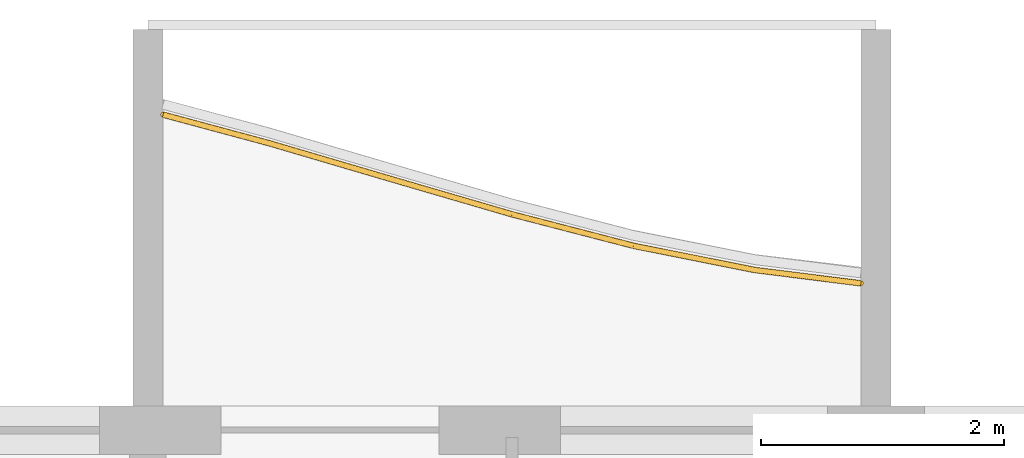
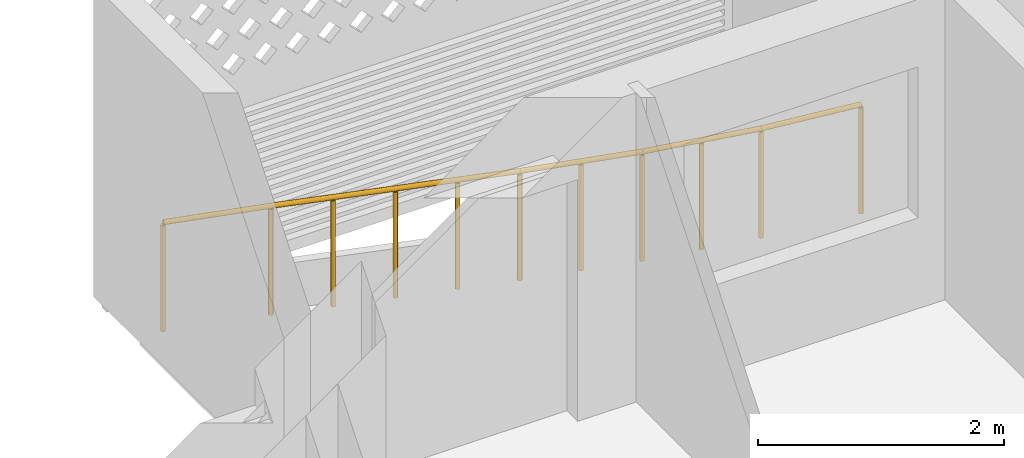
# One storey, part 20 of 31: 1 railing.
"""IFC4 building model written with IfcOpenShell, lengths in metres."""

from ifc_helpers import new_model, si_unit, direction, frame, origin, origin_2d, place, context, subcontext, project, spatial, circle, extrude, material, type_object, element, save


model = new_model("IFC4")

# Units and contexts
model_context = context("Model", 3, precision=1e-05, world=origin(), true_north=direction((0.0, 1.0)))
body_context = subcontext(model_context, "Body", "Model", "MODEL_VIEW")
ifc_project = project(units=[si_unit("LENGTHUNIT", "METRE"), si_unit("AREAUNIT", "SQUARE_METRE"), si_unit("VOLUMEUNIT", "CUBIC_METRE"), si_unit("PLANEANGLEUNIT", "RADIAN"), si_unit("MASSUNIT", "GRAM", prefix="KILO")], contexts=[model_context])

# Site, building, storey
site_placement = place(None, origin())
site = spatial("IfcSite", under=ifc_project, at=site_placement, CompositionType="ELEMENT")
building_placement = place(site_placement, origin())
building = spatial("IfcBuilding", under=site, at=building_placement, Name="Poui Terraces", CompositionType="ELEMENT")
storey_placement = place(building_placement, frame((0.0, 0.0, 148.800048828125)))
storey = spatial("IfcBuildingStorey", under=building, at=storey_placement, Name="L41", CompositionType="ELEMENT", Elevation=148.800048828125)

# Railing
ifc_material = material(Name="Painted steel fretwork", Category="steel")
railing_type = type_object("IfcRailingType", Name="BALCONY GUARD 1100", PredefinedType="GUARDRAIL", material=ifc_material)
railing_placement = place(storey_placement, frame((36.125, 44.999755859375, 0.0)))
element("IfcRailing", 1, at=railing_placement, inside=storey, type_object=railing_type, Name="BALCONY GUARD", PredefinedType="GUARDRAIL", context=body_context, shape_type="SweptSolid", body=[
    extrude(circle(Radius=0.02392578125, at=origin_2d()), frame((0.0, 0.0, 1.076171875), z_axis=(0.965678166761, -0.259741560479, 0.0), x_axis=(0.259741560479, 0.965678166761, 0.0)), (0.0, 0.0, 1.0), 0.906005859375),
    extrude(circle(Radius=0.02392578125, at=origin_2d()), frame((0.875, -0.2353515625, 1.076171875), z_axis=(0.959346851742, -0.282229725671, 0.0), x_axis=(0.282229725671, 0.959346851742, 0.0)), (0.0, 0.0, 1.0), 1.04248046875),
    extrude(circle(Radius=0.02392578125, at=origin_2d()), frame((1.875, -0.529541015625, 1.076171875), z_axis=(0.960041991036, -0.279855990551, 0.0), x_axis=(0.279855990551, 0.960041991036, 0.0)), (0.0, 0.0, 1.0), 1.04150390625),
    extrude(circle(Radius=0.02392578125, at=origin_2d()), frame((2.875, -0.821044921875, 1.076171875), z_axis=(0.968050037836, -0.250757102086, 0.0), x_axis=(0.250757102086, 0.968050037836, 0.0)), (0.0, 0.0, 1.0), 1.032958984375),
    extrude(circle(Radius=0.02392578125, at=origin_2d()), frame((3.875, -1.080078125, 1.076171875), z_axis=(0.980635885947, -0.19583988152, 0.0), x_axis=(0.19583988152, 0.980635885947, 0.0)), (0.0, 0.0, 1.0), 1.019775390625),
    extrude(circle(Radius=0.02392578125, at=origin_2d()), frame((4.875, -1.27978515625, 1.076171875), z_axis=(0.99220958069, -0.124579885968, 0.0), x_axis=(0.124579885968, 0.99220958069, 0.0)), (0.0, 0.0, 1.0), 0.8818359375),
    extrude(circle(Radius=0.02099609375, at=origin_2d()), origin(), (0.0, 0.0, 1.0), 1.052001953125),
    extrude(circle(Radius=0.02099609375, at=origin_2d()), frame((0.875, -0.2353515625, 0.0)), (0.0, 0.0, 1.0), 1.052001953125),
    extrude(circle(Radius=0.02099609375, at=origin_2d()), frame((1.375, -0.38232421875, 0.0)), (0.0, 0.0, 1.0), 1.052001953125),
    extrude(circle(Radius=0.02099609375, at=origin_2d()), frame((1.875, -0.529541015625, 0.0)), (0.0, 0.0, 1.0), 1.052001953125),
    extrude(circle(Radius=0.02099609375, at=origin_2d()), frame((2.375, -0.67529296875, 0.0)), (0.0, 0.0, 1.0), 1.052001953125),
    extrude(circle(Radius=0.02099609375, at=origin_2d()), frame((2.875, -0.821044921875, 0.0)), (0.0, 0.0, 1.0), 1.052001953125),
    extrude(circle(Radius=0.02099609375, at=origin_2d()), frame((3.375, -0.95068359375, 0.0)), (0.0, 0.0, 1.0), 1.052001953125),
    extrude(circle(Radius=0.02099609375, at=origin_2d()), frame((3.875, -1.080078125, 0.0)), (0.0, 0.0, 1.0), 1.052001953125),
    extrude(circle(Radius=0.02099609375, at=origin_2d()), frame((4.375, -1.179931640625, 0.0)), (0.0, 0.0, 1.0), 1.052001953125),
    extrude(circle(Radius=0.02099609375, at=origin_2d()), frame((4.875, -1.27978515625, 0.0)), (0.0, 0.0, 1.0), 1.052001953125),
    extrude(circle(Radius=0.02099609375, at=origin_2d()), frame((5.75, -1.3896484375, 0.0)), (0.0, 0.0, 1.0), 1.052001953125),
])

save(model, "model.ifc")
